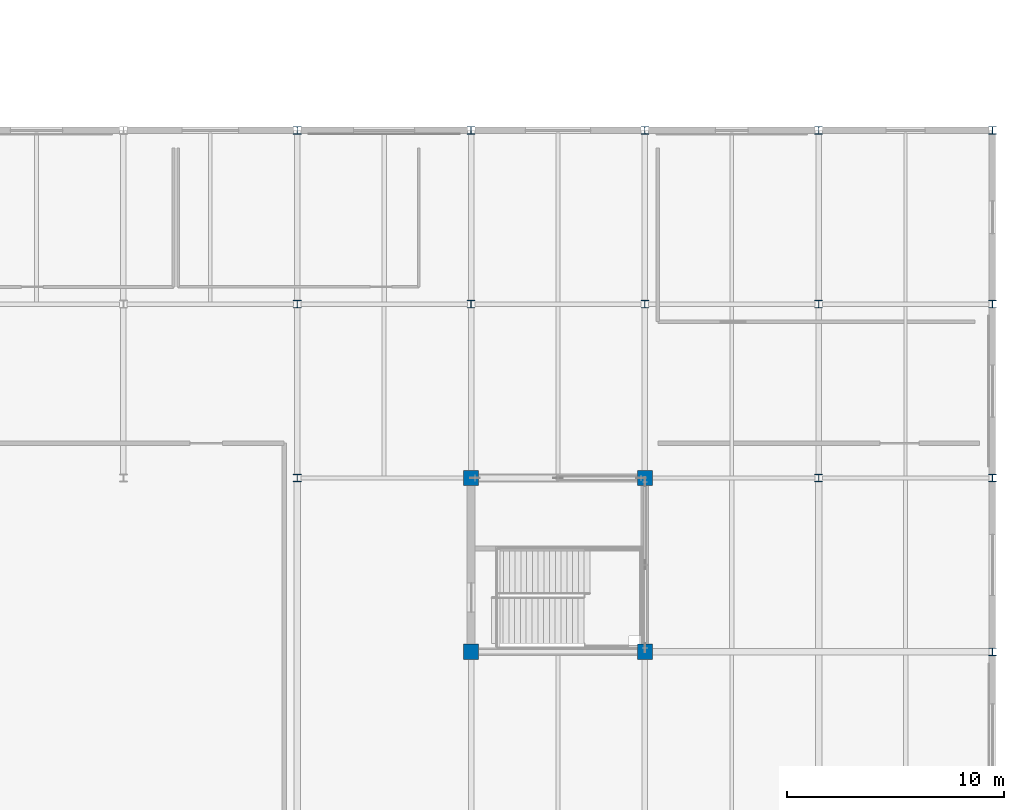
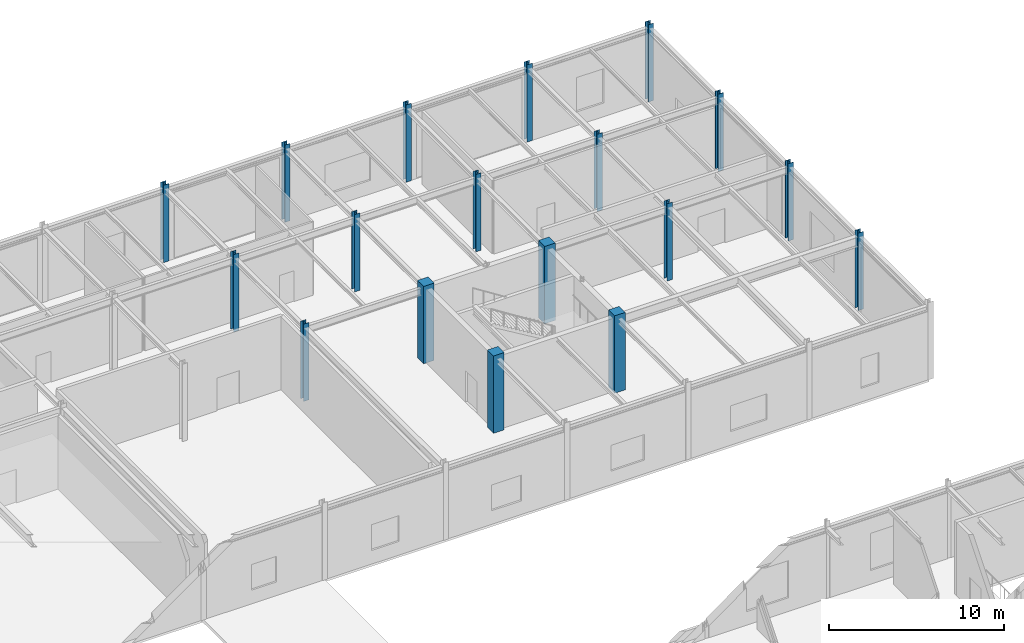
# One storey, part 21 of 108: 18 columns.
"""IFC4 building model written with IfcOpenShell, lengths in metres."""

from ifc_helpers import new_model, si_unit, direction, frame, origin, origin_2d, place, context, subcontext, project, spatial, rectangle, i_section, extrude, material, material_profile, profile_set, type_object, element, save


model = new_model("IFC4")

# Units and contexts
model_context = context("Model", 3, precision=1e-05, world=origin(), true_north=direction((0.0, 1.0)))
body_context = subcontext(model_context, "Body", "Model", "MODEL_VIEW")
ifc_project = project(units=[si_unit("LENGTHUNIT", "METRE"), si_unit("AREAUNIT", "SQUARE_METRE"), si_unit("VOLUMEUNIT", "CUBIC_METRE"), si_unit("PLANEANGLEUNIT", "RADIAN"), si_unit("MASSUNIT", "GRAM", prefix="KILO")], contexts=[model_context])

# Site, building, storey
site_placement = place(None, origin())
site = spatial("IfcSite", under=ifc_project, at=site_placement, CompositionType="ELEMENT")
building_placement = place(site_placement, origin())
building = spatial("IfcBuilding", under=site, at=building_placement, Name="Zhaolan Boulevard Law Courts", CompositionType="ELEMENT")
storey_placement = place(building_placement, frame((0.0, 0.0, 10.800048828125)))
storey = spatial("IfcBuildingStorey", under=building, at=storey_placement, Name="L02", CompositionType="ELEMENT", Elevation=10.800048828125)

# Columns
ifc_material_1 = material(Name="Structural steel Q355B", Category="steel")
ifc_material_profile_1 = material_profile(ifc_material_1, i_section(OverallWidth=0.35009765625, OverallDepth=0.35009765625, WebThickness=0.011962890625, FlangeThickness=0.01904296875, FilletRadius=0.02001953125, at=origin_2d()), Name="HW350x350")
ifc_profile_set_1 = profile_set([ifc_material_profile_1], Name="Structural steel Q355B")
column_type_1 = type_object("IfcColumnType", Name="COL HW350", PredefinedType="COLUMN", material=ifc_profile_set_1)
for number, where, z_axis, x_axis, name in (
    (1, (132.0, 78.0, 0.0), (0.0, 0.0, 1.0), (1.0, 0.0, 0.0), "Column C-17L (L02)"),
    (2, (132.0, 86.0, 0.0), (0.0, 0.0, 1.0), (1.0, 0.0, 0.0), "Column C-17M (L02)"),
    (3, (132.0, 94.0, 0.0), (0.0, 0.0, 1.0), (1.0, 0.0, 0.0), "Column C-17N (L02)"),
    (4, (140.0, 86.0, 0.0), (0.0, 0.0, 1.0), (1.0, 0.0, 0.0), "Column C-18M (L02)"),
    (5, (140.0, 94.0, 0.0), (0.0, 0.0, 1.0), (1.0, 0.0, 0.0), "Column C-18N (L02)"),
    (6, (148.0, 86.0, 0.0), (0.0, 0.0, 1.0), (1.0, 0.0, 0.0), "Column C-19M (L02)"),
    (7, (148.0, 94.0, 0.0), (0.0, 0.0, 1.0), (1.0, 0.0, 0.0), "Column C-19N (L02)"),
    (8, (156.0, 78.0, 0.0), (0.0, 0.0, 1.0), (1.0, 0.0, 0.0), "Column C-20L (L02)"),
    (9, (156.0, 86.0, 0.0), (0.0, 0.0, 1.0), (1.0, 0.0, 0.0), "Column C-20M (L02)"),
    (10, (156.0, 94.0, 0.0), (0.0, 0.0, 1.0), (1.0, 0.0, 0.0), "Column C-20N (L02)"),
    (11, (164.0, 70.0, 0.0), (0.0, 0.0, 1.0), (1.0, 0.0, 0.0), "Column C-21K (L02)"),
    (12, (164.0, 78.0, 0.0), (0.0, 0.0, 1.0), (1.0, 0.0, 0.0), "Column C-21L (L02)"),
    (13, (164.0, 86.0, 0.0), (0.0, 0.0, 1.0), (1.0, 0.0, 0.0), "Column C-21M (L02)"),
    (14, (164.0, 94.0, 0.0), (0.0, 0.0, 1.0), (1.0, 0.0, 0.0), "Column C-21N (L02)"),
):
    element("IfcColumn", number, at=place(storey_placement, frame(where, z_axis=z_axis, x_axis=x_axis)), inside=storey, type_object=column_type_1, Name=name, PredefinedType="COLUMN", context=body_context, shape_type="SweptSolid", body=[
        extrude(i_section(OverallWidth=0.35009765625, OverallDepth=0.35009765625, WebThickness=0.011962890625, FlangeThickness=0.01904296875, FilletRadius=0.02001953125, at=origin_2d()), origin(), (0.0, 0.0, 1.0), 5.39990234375),
    ])
ifc_material_2 = material(Name="Concrete C50", Category="concrete")
ifc_material_profile_2 = material_profile(ifc_material_2, rectangle(XDim=0.699951171875, YDim=0.699951171875, at=origin_2d()), Name="RC700x700")
ifc_profile_set_2 = profile_set([ifc_material_profile_2], Name="Concrete C50")
column_type_2 = type_object("IfcColumnType", Name="COL RC700", PredefinedType="COLUMN", material=ifc_profile_set_2)
for number, where, z_axis, x_axis, name in (
    (15, (140.0, 70.0, 0.0), (0.0, 0.0, 1.0), (1.0, 0.0, 0.0), "Column C-18K (L02)"),
    (16, (140.0, 78.0, 0.0), (0.0, 0.0, 1.0), (1.0, 0.0, 0.0), "Column C-18L (L02)"),
    (17, (148.0, 70.0, 0.0), (0.0, 0.0, 1.0), (1.0, 0.0, 0.0), "Column C-19K (L02)"),
    (18, (148.0, 78.0, 0.0), (0.0, 0.0, 1.0), (1.0, 0.0, 0.0), "Column C-19L (L02)"),
):
    element("IfcColumn", number, at=place(storey_placement, frame(where, z_axis=z_axis, x_axis=x_axis)), inside=storey, type_object=column_type_2, Name=name, PredefinedType="COLUMN", context=body_context, shape_type="SweptSolid", body=[
        extrude(rectangle(XDim=0.699951171875, YDim=0.699951171875, at=origin_2d()), origin(), (0.0, 0.0, 1.0), 5.39990234375),
    ])

save(model, "model.ifc")
